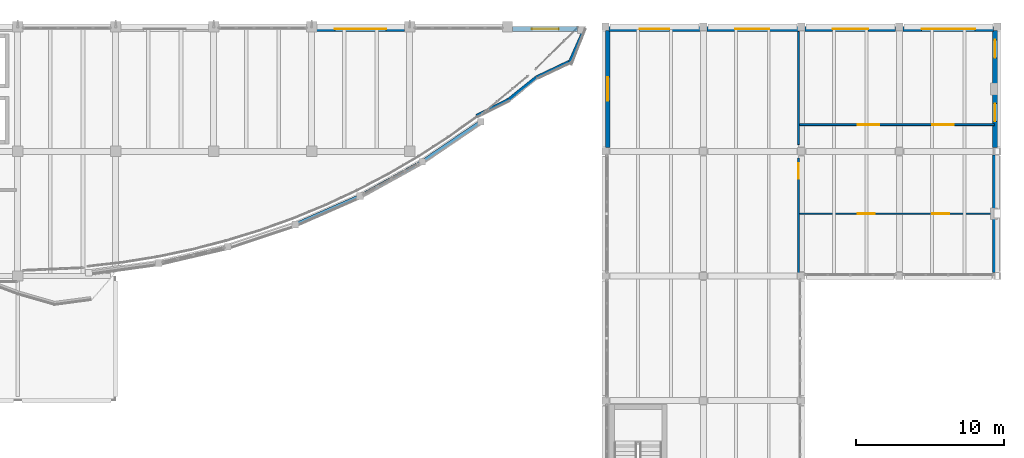
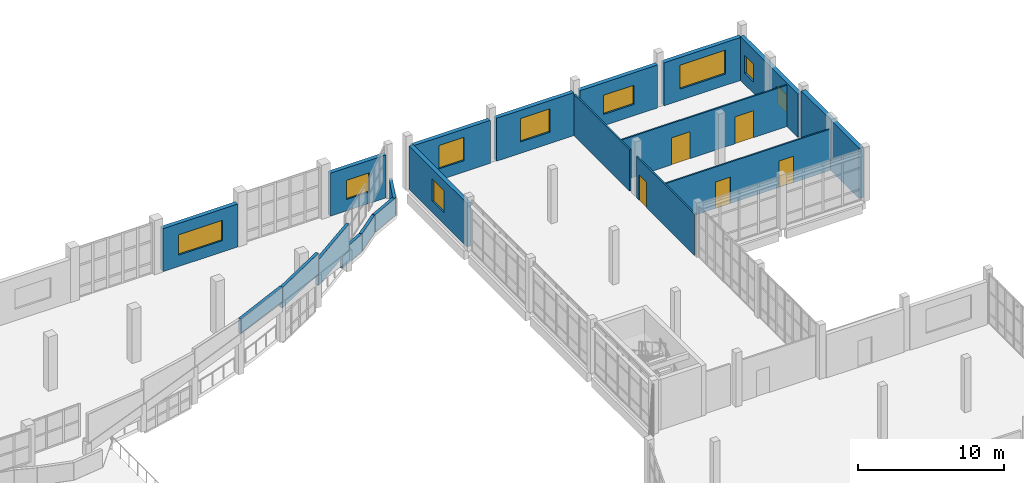
# One storey, part 59 of 83: 20 walls, 9 windows, 5 doors, 14 openings.
"""IFC4 building model written with IfcOpenShell, lengths in metres."""

from ifc_helpers import new_model, si_unit, direction, frame, frame_2d, origin, place, context, subcontext, project, spatial, rectangle, extrude, material, layer, layer_set, type_object, element, fill, save


model = new_model("IFC4")

# Units and contexts
model_context = context("Model", 3, precision=1e-05, world=origin(), true_north=direction((0.0, 1.0)))
body_context = subcontext(model_context, "Body", "Model", "MODEL_VIEW")
ifc_project = project(units=[si_unit("LENGTHUNIT", "METRE"), si_unit("AREAUNIT", "SQUARE_METRE"), si_unit("VOLUMEUNIT", "CUBIC_METRE"), si_unit("PLANEANGLEUNIT", "RADIAN"), si_unit("MASSUNIT", "GRAM", prefix="KILO")], contexts=[model_context])

# Site, building, storey
site_placement = place(None, origin())
site = spatial("IfcSite", under=ifc_project, at=site_placement, CompositionType="ELEMENT")
building_placement = place(site_placement, origin())
building = spatial("IfcBuilding", under=site, at=building_placement, Name="Qaldarim Faculty of Natural and Applied Sciences", CompositionType="ELEMENT")
storey_placement = place(building_placement, frame((0.0, 0.0, 5.39990234375)))
storey = spatial("IfcBuildingStorey", under=building, at=storey_placement, Name="L01", CompositionType="ELEMENT", Elevation=5.39990234375)

# Wall, opening, door
ifc_material_1 = material(Name="Painted gypsum partition board")
ifc_layer_1 = layer(ifc_material_1, 0.1201171875)
ifc_layer_set_1 = layer_set([ifc_layer_1], Name="Painted gypsum partition board")
wall_type_1 = type_object("IfcWallType", Name="AcousticPartition-120", PredefinedType="PARTITIONING", material=ifc_layer_set_1)
wall_1_placement = place(storey_placement, frame((164.800048828125, 100.800048828125, 0.0), z_axis=(0.0, 0.0, 1.0), x_axis=(0.0, 1.0, 0.0)))
wall_1 = element("IfcWall", 1, at=wall_1_placement, inside=storey, type_object=wall_type_1, Name="Interior partition PRT-L01-V3-GRPW-S1", PredefinedType="PARTITIONING", context=body_context, shape_type="SweptSolid", body=[
    extrude(rectangle(XDim=7.949951171875, YDim=0.1201171875, at=frame_2d((3.97509765625, 0.0))), origin(), (0.0, 0.0, 1.0), 3.4501953125),
])
opening_1_placement = place(wall_1_placement, frame((6.550048828125, 0.0, 0.0)))
opening_1 = element("IfcOpeningElement", 2, at=opening_1_placement, cuts=wall_1, Name="Opening ID02", PredefinedType="OPENING", context=body_context, shape_type="SweptSolid", body=[
    extrude(rectangle(XDim=1.050048828125, YDim=2.14990234375, at=frame_2d((0.52490234375, 1.074951171875))), frame((0.0, 0.070068359375, 0.0), z_axis=(0.0, -1.0, 0.0), x_axis=(1.0, 0.0, 0.0)), (0.0, 0.0, 1.0), 0.14013671875),
])
ifc_material_2 = material(Name="Oak hardwood", Category="wood")
door_type_1 = type_object("IfcDoorType", Name="AccessibleRoomDoor-1050x2150", OperationType="NOTDEFINED", PredefinedType="DOOR", material=ifc_material_2)
door_1_placement = place(opening_1_placement, origin())
door_1 = element("IfcDoor", 3, at=door_1_placement, inside=storey, type_object=door_type_1, Name="Interior door D-L01-199", OperationType="SINGLE_SWING_LEFT", OverallHeight=2.14990234375, OverallWidth=1.050048828125, PredefinedType="DOOR", context=body_context, shape_type="SweptSolid", body=[
    extrude(rectangle(XDim=1.050048828125, YDim=2.14990234375, at=frame_2d((0.52490234375, 1.074951171875))), frame((0.0, 0.02490234375, 0.0), z_axis=(0.0, -1.0, 0.0), x_axis=(1.0, 0.0, 0.0)), (0.0, 0.0, 1.0), 0.050048828125),
])
fill(opening_1, door_1)

# Wall
wall_2_placement = place(storey_placement, frame((164.800048828125, 109.64990234375, 0.0), z_axis=(0.0, 0.0, 1.0), x_axis=(0.0, 1.0, 0.0)))
element("IfcWall", 4, at=wall_2_placement, inside=storey, type_object=wall_type_1, Name="Interior partition PRT-L01-V3-GRPW-S2", PredefinedType="PARTITIONING", context=body_context, shape_type="SweptSolid", body=[
    extrude(rectangle(XDim=7.630126953125, YDim=0.1201171875, at=frame_2d((3.81494140625, 0.0))), origin(), (0.0, 0.0, 1.0), 3.4501953125),
])

# Wall, openings, doors
wall_3_placement = place(storey_placement, frame((164.800048828125, 105.0, 0.0), z_axis=(0.0, 0.0, 1.0), x_axis=(1.0, 0.0, 0.0)))
wall_3 = element("IfcWall", 5, at=wall_3_placement, inside=storey, type_object=wall_type_1, Name="Interior partition PRT-L01-V3-POD-1", PredefinedType="PARTITIONING", context=body_context, shape_type="SweptSolid", body=[
    extrude(rectangle(XDim=13.199951171875, YDim=0.1201171875, at=frame_2d((6.60009765625, 0.0))), origin(), (0.0, 0.0, 1.0), 3.4501953125),
])
opening_2_placement = place(wall_3_placement, frame((4.0, 0.0, 0.0)))
opening_2 = element("IfcOpeningElement", 6, at=opening_2_placement, cuts=wall_3, Name="Opening ID09", PredefinedType="OPENING", context=body_context, shape_type="SweptSolid", body=[
    extrude(rectangle(XDim=1.14990234375, YDim=2.199951171875, at=frame_2d((0.574951171875, 1.10009765625))), frame((0.0, 0.070068359375, 0.0), z_axis=(0.0, -1.0, 0.0), x_axis=(1.0, 0.0, 0.0)), (0.0, 0.0, 1.0), 0.14013671875),
])
opening_3_placement = place(wall_3_placement, frame((9.0, 0.0, 0.0)))
opening_3 = element("IfcOpeningElement", 7, at=opening_3_placement, cuts=wall_3, Name="Opening ID09", PredefinedType="OPENING", context=body_context, shape_type="SweptSolid", body=[
    extrude(rectangle(XDim=1.14990234375, YDim=2.199951171875, at=frame_2d((0.574951171875, 1.10009765625))), frame((0.0, 0.070068359375, 0.0), z_axis=(0.0, -1.0, 0.0), x_axis=(1.0, 0.0, 0.0)), (0.0, 0.0, 1.0), 0.14013671875),
])
ifc_material_3 = material(Name="Architectural stainless steel 316", Category="steel")
door_type_2 = type_object("IfcDoorType", Name="CleanroomAirlockDoor-1150x2200", OperationType="NOTDEFINED", PredefinedType="DOOR", material=ifc_material_3)
door_2_placement = place(opening_2_placement, origin())
door_2 = element("IfcDoor", 8, at=door_2_placement, inside=storey, type_object=door_type_2, Name="Interior door D-L01-372", OperationType="SINGLE_SWING_LEFT", OverallHeight=2.199951171875, OverallWidth=1.14990234375, PredefinedType="DOOR", context=body_context, shape_type="SweptSolid", body=[
    extrude(rectangle(XDim=1.14990234375, YDim=2.199951171875, at=frame_2d((0.574951171875, 1.10009765625))), frame((0.0, 0.02490234375, 0.0), z_axis=(0.0, -1.0, 0.0), x_axis=(1.0, 0.0, 0.0)), (0.0, 0.0, 1.0), 0.050048828125),
])
fill(opening_2, door_2)
door_3_placement = place(opening_3_placement, origin())
door_3 = element("IfcDoor", 9, at=door_3_placement, inside=storey, type_object=door_type_2, Name="Interior door D-L01-373", OperationType="SINGLE_SWING_RIGHT", OverallHeight=2.199951171875, OverallWidth=1.14990234375, PredefinedType="DOOR", context=body_context, shape_type="SweptSolid", body=[
    extrude(rectangle(XDim=1.14990234375, YDim=2.199951171875, at=frame_2d((0.574951171875, 1.10009765625))), frame((0.0, 0.02490234375, 0.0), z_axis=(0.0, -1.0, 0.0), x_axis=(1.0, 0.0, 0.0)), (0.0, 0.0, 1.0), 0.050048828125),
])
fill(opening_3, door_3)

wall_4_placement = place(storey_placement, frame((164.800048828125, 111.0, 0.0), z_axis=(0.0, 0.0, 1.0), x_axis=(1.0, 0.0, 0.0)))
wall_4 = element("IfcWall", 10, at=wall_4_placement, inside=storey, type_object=wall_type_1, Name="Interior partition PRT-L01-V3-POD-2", PredefinedType="PARTITIONING", context=body_context, shape_type="SweptSolid", body=[
    extrude(rectangle(XDim=13.199951171875, YDim=0.1201171875, at=frame_2d((6.60009765625, 0.0))), origin(), (0.0, 0.0, 1.0), 3.4501953125),
])
opening_4_placement = place(wall_4_placement, frame((4.0, 0.0, 0.0)))
opening_4 = element("IfcOpeningElement", 11, at=opening_4_placement, cuts=wall_4, Name="Opening ID11", PredefinedType="OPENING", context=body_context, shape_type="SweptSolid", body=[
    extrude(rectangle(XDim=1.449951171875, YDim=2.25, at=frame_2d((0.72509765625, 1.125))), frame((0.0, 0.070068359375, 0.0), z_axis=(0.0, -1.0, 0.0), x_axis=(1.0, 0.0, 0.0)), (0.0, 0.0, 1.0), 0.14013671875),
])
opening_5_placement = place(wall_4_placement, frame((9.0, 0.0, 0.0)))
opening_5 = element("IfcOpeningElement", 12, at=opening_5_placement, cuts=wall_4, Name="Opening ID11", PredefinedType="OPENING", context=body_context, shape_type="SweptSolid", body=[
    extrude(rectangle(XDim=1.449951171875, YDim=2.25, at=frame_2d((0.72509765625, 1.125))), frame((0.0, 0.070068359375, 0.0), z_axis=(0.0, -1.0, 0.0), x_axis=(1.0, 0.0, 0.0)), (0.0, 0.0, 1.0), 0.14013671875),
])
door_type_3 = type_object("IfcDoorType", Name="InstrumentSuiteDoor-1450x2250", OperationType="NOTDEFINED", PredefinedType="DOOR", material=ifc_material_3)
door_4_placement = place(opening_4_placement, origin())
door_4 = element("IfcDoor", 13, at=door_4_placement, inside=storey, type_object=door_type_3, Name="Interior door D-L01-374", OperationType="SINGLE_SWING_LEFT", OverallHeight=2.25, OverallWidth=1.449951171875, PredefinedType="DOOR", context=body_context, shape_type="SweptSolid", body=[
    extrude(rectangle(XDim=1.449951171875, YDim=2.25, at=frame_2d((0.72509765625, 1.125))), frame((0.0, 0.02490234375, 0.0), z_axis=(0.0, -1.0, 0.0), x_axis=(1.0, 0.0, 0.0)), (0.0, 0.0, 1.0), 0.050048828125),
])
fill(opening_4, door_4)
door_5_placement = place(opening_5_placement, origin())
door_5 = element("IfcDoor", 14, at=door_5_placement, inside=storey, type_object=door_type_3, Name="Interior door D-L01-375", OperationType="SINGLE_SWING_RIGHT", OverallHeight=2.25, OverallWidth=1.449951171875, PredefinedType="DOOR", context=body_context, shape_type="SweptSolid", body=[
    extrude(rectangle(XDim=1.449951171875, YDim=2.25, at=frame_2d((0.72509765625, 1.125))), frame((0.0, 0.02490234375, 0.0), z_axis=(0.0, -1.0, 0.0), x_axis=(1.0, 0.0, 0.0)), (0.0, 0.0, 1.0), 0.050048828125),
])
fill(opening_5, door_5)

# Wall, opening, window
ifc_material_4 = material(Name="Precast concrete C40/50", Category="concrete")
ifc_layer_2 = layer(ifc_material_4, 0.320068359375)
ifc_layer_set_2 = layer_set([ifc_layer_2], Name="Precast concrete C40/50")
wall_type_2 = type_object("IfcWallType", Name="ExteriorLimestoneWall-320", PredefinedType="SOLIDWALL", material=ifc_layer_set_2)
wall_5_placement = place(storey_placement, frame((138.2548828125, 117.43994140625, 0.0), z_axis=(0.0, 0.0, 1.0), x_axis=(-1.0, 0.0, 0.0)))
wall_5 = element("IfcWall", 15, at=wall_5_placement, inside=storey, type_object=wall_type_2, Name="Exterior wall EW01 L01 N X21Y14", PredefinedType="SOLIDWALL", context=body_context, shape_type="SweptSolid", body=[
    extrude(rectangle(XDim=5.909912109375, YDim=0.320068359375, at=frame_2d((2.955078125, 0.0))), origin(), (0.0, 0.0, 1.0), 3.585205078125),
])
opening_6_placement = place(wall_5_placement, frame((1.22998046875, 0.0, 0.949951171875)))
opening_6 = element("IfcOpeningElement", 16, at=opening_6_placement, cuts=wall_5, Name="Opening WN16", PredefinedType="OPENING", context=body_context, shape_type="SweptSolid", body=[
    extrude(rectangle(XDim=3.449951171875, YDim=1.699951171875, at=frame_2d((1.72509765625, 0.85009765625))), frame((0.0, 0.169921875, 0.0), z_axis=(0.0, -1.0, 0.0), x_axis=(1.0, 0.0, 0.0)), (0.0, 0.0, 1.0), 0.340087890625),
])
ifc_material_5 = material(Name="Insulated low-e double glazing", Category="glass")
window_type_1 = type_object("IfcWindowType", Name="LabWindow-3450x1700", PartitioningType="TRIPLE_PANEL_VERTICAL", PredefinedType="WINDOW", material=ifc_material_5)
window_1_placement = place(opening_6_placement, origin())
window_1 = element("IfcWindow", 17, at=window_1_placement, inside=storey, type_object=window_type_1, Name="Facade window WN16 L01 N X21Y14", OverallHeight=1.699951171875, OverallWidth=3.449951171875, PartitioningType="SINGLE_PANEL", PredefinedType="WINDOW", context=body_context, shape_type="SweptSolid", body=[
    extrude(rectangle(XDim=3.449951171875, YDim=1.699951171875, at=frame_2d((1.72509765625, 0.85009765625))), frame((0.0, 0.030029296875, 0.0), z_axis=(0.0, -1.0, 0.0), x_axis=(1.0, 0.0, 0.0)), (0.0, 0.0, 1.0), 0.06005859375),
])
fill(opening_6, window_1)

wall_6_placement = place(storey_placement, frame((158.155029296875, 117.43994140625, 0.0), z_axis=(0.0, 0.0, 1.0), x_axis=(-1.0, 0.0, 0.0)))
wall_6 = element("IfcWall", 18, at=wall_6_placement, inside=storey, type_object=wall_type_2, Name="Exterior wall EW01 L01 N X24Y14", PredefinedType="SOLIDWALL", context=body_context, shape_type="SweptSolid", body=[
    extrude(rectangle(XDim=6.110107421875, YDim=0.320068359375, at=frame_2d((3.05517578125, 0.0))), origin(), (0.0, 0.0, 1.0), 3.585205078125),
])
opening_7_placement = place(wall_6_placement, frame((2.054931640625, 0.0, 0.949951171875)))
opening_7 = element("IfcOpeningElement", 19, at=opening_7_placement, cuts=wall_6, Name="Opening WN27", PredefinedType="OPENING", context=body_context, shape_type="SweptSolid", body=[
    extrude(rectangle(XDim=2.0, YDim=1.949951171875, at=frame_2d((1.0, 0.97509765625))), frame((0.0, 0.169921875, 0.0), z_axis=(0.0, -1.0, 0.0), x_axis=(1.0, 0.0, 0.0)), (0.0, 0.0, 1.0), 0.340087890625),
])
window_type_2 = type_object("IfcWindowType", Name="GalleryWindow-2000x1950", PartitioningType="DOUBLE_PANEL_VERTICAL", PredefinedType="WINDOW", material=ifc_material_5)
window_2_placement = place(opening_7_placement, origin())
window_2 = element("IfcWindow", 20, at=window_2_placement, inside=storey, type_object=window_type_2, Name="Facade window WN27 L01 N X24Y14", OverallHeight=1.949951171875, OverallWidth=2.0, PartitioningType="SINGLE_PANEL", PredefinedType="WINDOW", context=body_context, shape_type="SweptSolid", body=[
    extrude(rectangle(XDim=2.0, YDim=1.949951171875, at=frame_2d((1.0, 0.97509765625))), frame((0.0, 0.030029296875, 0.0), z_axis=(0.0, -1.0, 0.0), x_axis=(1.0, 0.0, 0.0)), (0.0, 0.0, 1.0), 0.06005859375),
])
fill(opening_7, window_2)

wall_7_placement = place(storey_placement, frame((151.9599609375, 117.35498046875, 0.0), z_axis=(0.0, 0.0, 1.0), x_axis=(0.0, -1.0, 0.0)))
wall_7 = element("IfcWall", 21, at=wall_7_placement, inside=storey, type_object=wall_type_2, Name="Exterior wall EW01 L01 W X24Y14", PredefinedType="SOLIDWALL", context=body_context, shape_type="SweptSolid", body=[
    extrude(rectangle(XDim=7.909912109375, YDim=0.320068359375, at=frame_2d((3.955078125, 0.0))), origin(), (0.0, 0.0, 1.0), 3.635009765625),
])
opening_8_placement = place(wall_7_placement, frame((3.155029296875, 0.0, 0.949951171875)))
opening_8 = element("IfcOpeningElement", 22, at=opening_8_placement, cuts=wall_7, Name="Opening WN19", PredefinedType="OPENING", context=body_context, shape_type="SweptSolid", body=[
    extrude(rectangle(XDim=1.60009765625, YDim=1.85009765625, at=frame_2d((0.800048828125, 0.925048828125))), frame((0.0, 0.169921875, 0.0), z_axis=(0.0, -1.0, 0.0), x_axis=(1.0, 0.0, 0.0)), (0.0, 0.0, 1.0), 0.340087890625),
])
window_type_3 = type_object("IfcWindowType", Name="StudyWindow-1600x1850", PartitioningType="DOUBLE_PANEL_VERTICAL", PredefinedType="WINDOW", material=ifc_material_5)
window_3_placement = place(opening_8_placement, origin())
window_3 = element("IfcWindow", 23, at=window_3_placement, inside=storey, type_object=window_type_3, Name="Facade window WN19 L01 W X24Y14", OverallHeight=1.85009765625, OverallWidth=1.60009765625, PartitioningType="SINGLE_PANEL", PredefinedType="WINDOW", context=body_context, shape_type="SweptSolid", body=[
    extrude(rectangle(XDim=1.60009765625, YDim=1.85009765625, at=frame_2d((0.800048828125, 0.925048828125))), frame((0.0, 0.030029296875, 0.0), z_axis=(0.0, -1.0, 0.0), x_axis=(1.0, 0.0, 0.0)), (0.0, 0.0, 1.0), 0.06005859375),
])
fill(opening_8, window_3)

wall_8_placement = place(storey_placement, frame((164.7548828125, 117.43994140625, 0.0), z_axis=(0.0, 0.0, 1.0), x_axis=(-1.0, 0.0, 0.0)))
wall_8 = element("IfcWall", 24, at=wall_8_placement, inside=storey, type_object=wall_type_2, Name="Exterior wall EW01 L01 N X25Y14", PredefinedType="SOLIDWALL", context=body_context, shape_type="SweptSolid", body=[
    extrude(rectangle(XDim=6.10986328125, YDim=0.320068359375, at=frame_2d((3.054931640625, 0.0))), origin(), (0.0, 0.0, 1.0), 3.585205078125),
])
opening_9_placement = place(wall_8_placement, frame((1.905029296875, 0.0, 0.949951171875)))
opening_9 = element("IfcOpeningElement", 25, at=opening_9_placement, cuts=wall_8, Name="Opening WN28", PredefinedType="OPENING", context=body_context, shape_type="SweptSolid", body=[
    extrude(rectangle(XDim=2.300048828125, YDim=1.949951171875, at=frame_2d((1.14990234375, 0.97509765625))), frame((0.0, 0.169921875, 0.0), z_axis=(0.0, -1.0, 0.0), x_axis=(1.0, 0.0, 0.0)), (0.0, 0.0, 1.0), 0.340087890625),
])
window_type_4 = type_object("IfcWindowType", Name="GalleryWindow-2300x1950", PartitioningType="TRIPLE_PANEL_VERTICAL", PredefinedType="WINDOW", material=ifc_material_5)
window_4_placement = place(opening_9_placement, origin())
window_4 = element("IfcWindow", 26, at=window_4_placement, inside=storey, type_object=window_type_4, Name="Facade window WN28 L01 N X25Y14", OverallHeight=1.949951171875, OverallWidth=2.300048828125, PartitioningType="SINGLE_PANEL", PredefinedType="WINDOW", context=body_context, shape_type="SweptSolid", body=[
    extrude(rectangle(XDim=2.300048828125, YDim=1.949951171875, at=frame_2d((1.14990234375, 0.97509765625))), frame((0.0, 0.030029296875, 0.0), z_axis=(0.0, -1.0, 0.0), x_axis=(1.0, 0.0, 0.0)), (0.0, 0.0, 1.0), 0.06005859375),
])
fill(opening_9, window_4)

wall_9_placement = place(storey_placement, frame((171.35498046875, 117.43994140625, 0.0), z_axis=(0.0, 0.0, 1.0), x_axis=(-1.0, 0.0, 0.0)))
wall_9 = element("IfcWall", 27, at=wall_9_placement, inside=storey, type_object=wall_type_2, Name="Exterior wall EW01 L01 N X26Y14", PredefinedType="SOLIDWALL", context=body_context, shape_type="SweptSolid", body=[
    extrude(rectangle(XDim=6.10986328125, YDim=0.320068359375, at=frame_2d((3.054931640625, 0.0))), origin(), (0.0, 0.0, 1.0), 3.585205078125),
])
opening_10_placement = place(wall_9_placement, frame((1.85498046875, 0.0, 0.949951171875)))
opening_10 = element("IfcOpeningElement", 28, at=opening_10_placement, cuts=wall_9, Name="Opening WN03", PredefinedType="OPENING", context=body_context, shape_type="SweptSolid", body=[
    extrude(rectangle(XDim=2.39990234375, YDim=1.60009765625, at=frame_2d((1.199951171875, 0.800048828125))), frame((0.0, 0.169921875, 0.0), z_axis=(0.0, -1.0, 0.0), x_axis=(1.0, 0.0, 0.0)), (0.0, 0.0, 1.0), 0.340087890625),
])
window_type_5 = type_object("IfcWindowType", Name="Window-2400x1600", PartitioningType="TRIPLE_PANEL_VERTICAL", PredefinedType="WINDOW", material=ifc_material_5)
window_5_placement = place(opening_10_placement, origin())
window_5 = element("IfcWindow", 29, at=window_5_placement, inside=storey, type_object=window_type_5, Name="Facade window WN03 L01 N X26Y14", OverallHeight=1.60009765625, OverallWidth=2.39990234375, PartitioningType="SINGLE_PANEL", PredefinedType="WINDOW", context=body_context, shape_type="SweptSolid", body=[
    extrude(rectangle(XDim=2.39990234375, YDim=1.60009765625, at=frame_2d((1.199951171875, 0.800048828125))), frame((0.0, 0.030029296875, 0.0), z_axis=(0.0, -1.0, 0.0), x_axis=(1.0, 0.0, 0.0)), (0.0, 0.0, 1.0), 0.06005859375),
])
fill(opening_10, window_5)

# Wall, openings, windows
wall_10_placement = place(storey_placement, frame((178.0400390625, 109.445068359375, 0.0), z_axis=(0.0, 0.0, 1.0), x_axis=(0.0, 1.0, 0.0)))
wall_10 = element("IfcWall", 30, at=wall_10_placement, inside=storey, type_object=wall_type_2, Name="Exterior wall EW01 L01 E X27Y14", PredefinedType="SOLIDWALL", context=body_context, shape_type="SweptSolid", body=[
    extrude(rectangle(XDim=7.909912109375, YDim=0.320068359375, at=frame_2d((3.955078125, 0.0))), origin(), (0.0, 0.0, 1.0), 3.635009765625),
])
opening_11_placement = place(wall_10_placement, frame((1.77490234375, 0.0, 0.949951171875)))
opening_11 = element("IfcOpeningElement", 31, at=opening_11_placement, cuts=wall_10, Name="Opening WN01", PredefinedType="OPENING", context=body_context, shape_type="SweptSolid", body=[
    extrude(rectangle(XDim=1.199951171875, YDim=1.5, at=frame_2d((0.60009765625, 0.75))), frame((0.0, 0.169921875, 0.0), z_axis=(0.0, -1.0, 0.0), x_axis=(1.0, 0.0, 0.0)), (0.0, 0.0, 1.0), 0.340087890625),
])
opening_12_placement = place(wall_10_placement, frame((6.06005859375, 0.0, 0.949951171875)))
opening_12 = element("IfcOpeningElement", 32, at=opening_12_placement, cuts=wall_10, Name="Opening WN01", PredefinedType="OPENING", context=body_context, shape_type="SweptSolid", body=[
    extrude(rectangle(XDim=1.199951171875, YDim=1.5, at=frame_2d((0.60009765625, 0.75))), frame((0.0, 0.169921875, 0.0), z_axis=(0.0, -1.0, 0.0), x_axis=(1.0, 0.0, 0.0)), (0.0, 0.0, 1.0), 0.340087890625),
])
window_type_6 = type_object("IfcWindowType", Name="Window-1200x1500", PartitioningType="SINGLE_PANEL", PredefinedType="WINDOW", material=ifc_material_5)
window_6_placement = place(opening_11_placement, origin())
window_6 = element("IfcWindow", 33, at=window_6_placement, inside=storey, type_object=window_type_6, Name="Pilaster-bay flanking window L01 E X27Y14-1", OverallHeight=1.5, OverallWidth=1.199951171875, PartitioningType="SINGLE_PANEL", PredefinedType="WINDOW", context=body_context, shape_type="SweptSolid", body=[
    extrude(rectangle(XDim=1.199951171875, YDim=1.5, at=frame_2d((0.60009765625, 0.75))), frame((0.0, 0.030029296875, 0.0), z_axis=(0.0, -1.0, 0.0), x_axis=(1.0, 0.0, 0.0)), (0.0, 0.0, 1.0), 0.06005859375),
])
fill(opening_11, window_6)
window_7_placement = place(opening_12_placement, origin())
window_7 = element("IfcWindow", 34, at=window_7_placement, inside=storey, type_object=window_type_6, Name="Pilaster-bay flanking window L01 E X27Y14-2", OverallHeight=1.5, OverallWidth=1.199951171875, PartitioningType="SINGLE_PANEL", PredefinedType="WINDOW", context=body_context, shape_type="SweptSolid", body=[
    extrude(rectangle(XDim=1.199951171875, YDim=1.5, at=frame_2d((0.60009765625, 0.75))), frame((0.0, 0.030029296875, 0.0), z_axis=(0.0, -1.0, 0.0), x_axis=(1.0, 0.0, 0.0)), (0.0, 0.0, 1.0), 0.06005859375),
])
fill(opening_12, window_7)

# Wall, opening, window
wall_11_placement = place(storey_placement, frame((177.955078125, 117.43994140625, 0.0), z_axis=(0.0, 0.0, 1.0), x_axis=(-1.0, 0.0, 0.0)))
wall_11 = element("IfcWall", 35, at=wall_11_placement, inside=storey, type_object=wall_type_2, Name="Exterior wall EW01 L01 N X27Y14", PredefinedType="SOLIDWALL", context=body_context, shape_type="SweptSolid", body=[
    extrude(rectangle(XDim=6.110107421875, YDim=0.320068359375, at=frame_2d((3.05517578125, 0.0))), origin(), (0.0, 0.0, 1.0), 3.585205078125),
])
opening_13_placement = place(wall_11_placement, frame((1.2548828125, 0.0, 0.949951171875)))
opening_13 = element("IfcOpeningElement", 36, at=opening_13_placement, cuts=wall_11, Name="Opening WN07", PredefinedType="OPENING", context=body_context, shape_type="SweptSolid", body=[
    extrude(rectangle(XDim=3.60009765625, YDim=2.0, at=frame_2d((1.800048828125, 1.0))), frame((0.0, 0.169921875, 0.0), z_axis=(0.0, -1.0, 0.0), x_axis=(1.0, 0.0, 0.0)), (0.0, 0.0, 1.0), 0.340087890625),
])
window_type_7 = type_object("IfcWindowType", Name="Window-3600x2000", PartitioningType="TRIPLE_PANEL_VERTICAL", PredefinedType="WINDOW", material=ifc_material_5)
window_8_placement = place(opening_13_placement, origin())
window_8 = element("IfcWindow", 37, at=window_8_placement, inside=storey, type_object=window_type_7, Name="Facade window WN07 L01 N X27Y14", OverallHeight=2.0, OverallWidth=3.60009765625, PartitioningType="SINGLE_PANEL", PredefinedType="WINDOW", context=body_context, shape_type="SweptSolid", body=[
    extrude(rectangle(XDim=3.60009765625, YDim=2.0, at=frame_2d((1.800048828125, 1.0))), frame((0.0, 0.030029296875, 0.0), z_axis=(0.0, -1.0, 0.0), x_axis=(1.0, 0.0, 0.0)), (0.0, 0.0, 1.0), 0.06005859375),
])
fill(opening_13, window_8)

wall_12_placement = place(storey_placement, frame((149.929931640625, 117.43994140625, 0.0), z_axis=(0.0, 0.0, 1.0), x_axis=(-1.0, 0.0, 0.0)))
wall_12 = element("IfcWall", 38, at=wall_12_placement, inside=storey, type_object=wall_type_2, Name="Laboratories NE corner facade wall L01", PredefinedType="SOLIDWALL", context=body_context, shape_type="SweptSolid", body=[
    extrude(rectangle(XDim=4.385009765625, YDim=0.320068359375, at=frame_2d((2.1923828125, 0.0))), origin(), (0.0, 0.0, 1.0), 3.585205078125),
])
opening_14_placement = place(wall_12_placement, frame((1.294921875, 0.0, 0.949951171875)))
opening_14 = element("IfcOpeningElement", 39, at=opening_14_placement, cuts=wall_12, Name="Opening WN02", PredefinedType="OPENING", context=body_context, shape_type="SweptSolid", body=[
    extrude(rectangle(XDim=1.800048828125, YDim=1.60009765625, at=frame_2d((0.89990234375, 0.800048828125))), frame((0.0, 0.169921875, 0.0), z_axis=(0.0, -1.0, 0.0), x_axis=(1.0, 0.0, 0.0)), (0.0, 0.0, 1.0), 0.340087890625),
])
window_type_8 = type_object("IfcWindowType", Name="Window-1800x1600", PartitioningType="DOUBLE_PANEL_VERTICAL", PredefinedType="WINDOW", material=ifc_material_5)
window_9_placement = place(opening_14_placement, origin())
window_9 = element("IfcWindow", 40, at=window_9_placement, inside=storey, type_object=window_type_8, Name="Laboratories NE corner window L01", OverallHeight=1.60009765625, OverallWidth=1.800048828125, PartitioningType="SINGLE_PANEL", PredefinedType="WINDOW", context=body_context, shape_type="SweptSolid", body=[
    extrude(rectangle(XDim=1.800048828125, YDim=1.60009765625, at=frame_2d((0.89990234375, 0.800048828125))), frame((0.0, 0.030029296875, 0.0), z_axis=(0.0, -1.0, 0.0), x_axis=(1.0, 0.0, 0.0)), (0.0, 0.0, 1.0), 0.06005859375),
])
fill(opening_14, window_9)

# Walls
ifc_material_6 = material(Name="Concrete C50/60", Category="concrete")
ifc_layer_3 = layer(ifc_material_6, 0.340087890625)
ifc_layer_set_3 = layer_set([ifc_layer_3], Name="Concrete C50/60")
wall_type_3 = type_object("IfcWallType", Name="ExteriorStairShearWall-340", PredefinedType="SHEAR", material=ifc_layer_set_3)
wall_13_placement = place(storey_placement, frame((178.030029296875, 101.044921875, 0.0), z_axis=(0.0, 0.0, 1.0), x_axis=(0.0, 1.0, 0.0)))
element("IfcWall", 41, at=wall_13_placement, inside=storey, type_object=wall_type_3, Name="Exterior wall EW05 L01 E X27Y13", PredefinedType="SHEAR", context=body_context, shape_type="SweptSolid", body=[
    extrude(rectangle(XDim=7.91015625, YDim=0.340087890625, at=frame_2d((3.955078125, 0.0))), origin(), (0.0, 0.0, 1.0), 4.2001953125),
])
ifc_material_7 = material(Name="White architectural precast concrete C40/50", Category="concrete")
ifc_layer_4 = layer(ifc_material_7, 0.219970703125)
ifc_layer_set_4 = layer_set([ifc_layer_4], Name="White architectural precast concrete C40/50")
wall_type_4 = type_object("IfcWallType", Name="WhitePrecastWaveBand-220", PredefinedType="SOLIDWALL", material=ifc_layer_set_4)
wall_14_placement = place(storey_placement, frame((143.1201171875, 111.60009765625, 0.0), z_axis=(0.0, 0.0, 1.0), x_axis=(0.893180420852, 0.449698494334, 0.0)))
element("IfcWall", 42, at=wall_14_placement, inside=storey, type_object=wall_type_4, Name="White precast wave spandrel band L01 chord 68", PredefinedType="SOLIDWALL", context=body_context, shape_type="SweptSolid", body=[
    extrude(rectangle(XDim=2.434814453125, YDim=0.219970703125, at=frame_2d((1.21728515625, 0.0))), origin(), (0.0, 0.0, 1.0), 1.4501953125),
])
wall_15_placement = place(storey_placement, frame((145.27001953125, 112.679931640625, 0.0), z_axis=(0.0, 0.0, 1.0), x_axis=(0.780033477486, 0.625737783741, 0.0)))
element("IfcWall", 43, at=wall_15_placement, inside=storey, type_object=wall_type_4, Name="White precast wave spandrel band L01 chord 69", PredefinedType="SOLIDWALL", context=body_context, shape_type="SweptSolid", body=[
    extrude(rectangle(XDim=2.397216796875, YDim=0.219970703125, at=frame_2d((1.19873046875, 0.0))), origin(), (0.0, 0.0, 1.0), 1.4501953125),
])
wall_16_placement = place(storey_placement, frame((147.169921875, 114.195068359375, 0.0), z_axis=(0.0, 0.0, 1.0), x_axis=(0.902549728753, 0.430585632747, 0.0)))
element("IfcWall", 44, at=wall_16_placement, inside=storey, type_object=wall_type_4, Name="White precast wave spandrel band L01 chord 70", PredefinedType="SOLIDWALL", context=body_context, shape_type="SweptSolid", body=[
    extrude(rectangle(XDim=2.54296875, YDim=0.219970703125, at=frame_2d((1.271484375, 0.0))), origin(), (0.0, 0.0, 1.0), 1.4501953125),
])
wall_17_placement = place(storey_placement, frame((149.39501953125, 115.215087890625, 0.0), z_axis=(0.0, 0.0, 1.0), x_axis=(0.406516483969, 0.913643447008, 0.0)))
element("IfcWall", 45, at=wall_17_placement, inside=storey, type_object=wall_type_4, Name="White precast wave spandrel band L01 chord 71", PredefinedType="SOLIDWALL", context=body_context, shape_type="SweptSolid", body=[
    extrude(rectangle(XDim=2.3369140625, YDim=0.219970703125, at=frame_2d((1.16845703125, 0.0))), origin(), (0.0, 0.0, 1.0), 1.4501953125),
])
wall_18_placement = place(storey_placement, frame((130.889892578125, 104.27490234375, 3.275146484375), z_axis=(0.0, 0.0, 1.0), x_axis=(0.915687605196, 0.40189079324, 0.0)))
element("IfcWall", 46, at=wall_18_placement, inside=storey, type_object=wall_type_4, Name="Lifted white precast portal arch spandrel 04", PredefinedType="SOLIDWALL", context=body_context, shape_type="SweptSolid", body=[
    extrude(rectangle(XDim=4.77783203125, YDim=0.219970703125, at=frame_2d((2.388916015625, 0.0))), origin(), (0.0, 0.0, 1.0), 1.21484375),
])
wall_19_placement = place(storey_placement, frame((135.264892578125, 106.195068359375, 2.710205078125), z_axis=(0.0, 0.0, 1.0), x_axis=(0.874812010837, 0.484462532809, 0.0)))
element("IfcWall", 47, at=wall_19_placement, inside=storey, type_object=wall_type_4, Name="Lifted white precast portal arch spandrel 05", PredefinedType="SOLIDWALL", context=body_context, shape_type="SweptSolid", body=[
    extrude(rectangle(XDim=4.7783203125, YDim=0.219970703125, at=frame_2d((2.38916015625, 0.0))), origin(), (0.0, 0.0, 1.0), 1.71484375),
])
wall_20_placement = place(storey_placement, frame((139.445068359375, 108.510009765625, 1.7001953125), z_axis=(0.0, 0.0, 1.0), x_axis=(0.827014911201, 0.562179985993, 0.0)))
element("IfcWall", 48, at=wall_20_placement, inside=storey, type_object=wall_type_4, Name="Lifted white precast portal arch spandrel 06", PredefinedType="SOLIDWALL", context=body_context, shape_type="SweptSolid", body=[
    extrude(rectangle(XDim=4.776123046875, YDim=0.219970703125, at=frame_2d((2.38818359375, 0.0))), origin(), (0.0, 0.0, 1.0), 2.159912109375),
])

save(model, "model.ifc")
